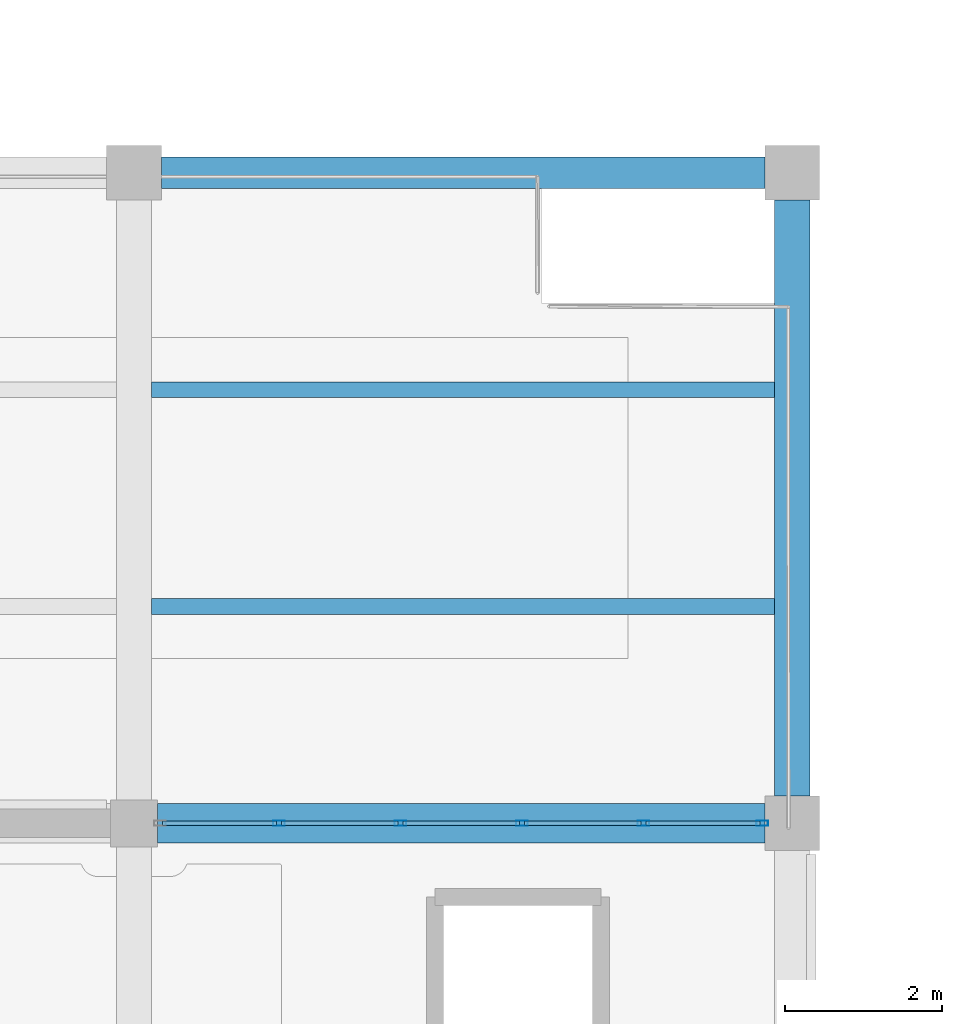
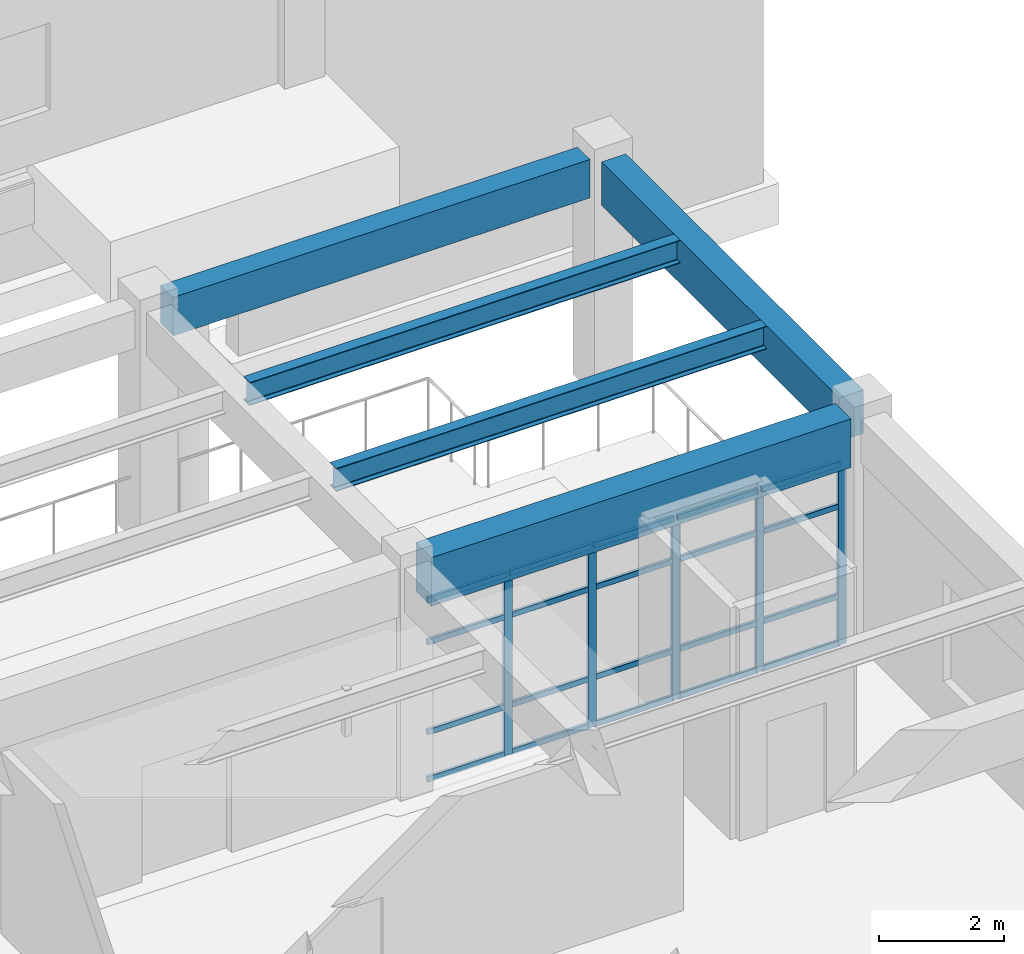
# One storey, part 33 of 98: 25 members, 5 beams, 1 element without a shape of its own.
"""IFC4 building model written with IfcOpenShell, lengths in metres."""

from ifc_helpers import new_model, si_unit, direction, frame, origin, origin_2d, place, context, subcontext, project, spatial, rectangle, hollow_rectangle, i_section, extrude, material, material_profile, profile_set, type_object, element, aggregate, save


model = new_model("IFC4")

# Units and contexts
model_context = context("Model", 3, precision=1e-05, world=origin(), true_north=direction((0.0, 1.0)))
body_context = subcontext(model_context, "Body", "Model", "MODEL_VIEW")
ifc_project = project(units=[si_unit("LENGTHUNIT", "METRE"), si_unit("AREAUNIT", "SQUARE_METRE"), si_unit("VOLUMEUNIT", "CUBIC_METRE"), si_unit("PLANEANGLEUNIT", "RADIAN"), si_unit("MASSUNIT", "GRAM", prefix="KILO")], contexts=[model_context])

# Site, building, storey
site_placement = place(None, origin())
site = spatial("IfcSite", under=ifc_project, at=site_placement, CompositionType="ELEMENT")
building_placement = place(site_placement, origin())
building = spatial("IfcBuilding", under=site, at=building_placement, Name="Canglan Escarpment Cableway Terminal", CompositionType="ELEMENT")
storey_placement = place(building_placement, frame((0.0, 0.0, 9.60009765625)))
storey = spatial("IfcBuildingStorey", under=building, at=storey_placement, Name="L02", CompositionType="ELEMENT", Elevation=9.60009765625)

# Beams
ifc_material_1 = material(Name="Concrete C40", Category="concrete")
ifc_material_profile_1 = material_profile(ifc_material_1, rectangle(XDim=0.449951171875, YDim=0.85009765625, at=origin_2d()), Name="RC 450x850")
ifc_profile_set_1 = profile_set([ifc_material_profile_1], Name="Concrete C40")
beam_type_1 = type_object("IfcBeamType", Name="BM-RC450x850", PredefinedType="BEAM", material=ifc_profile_set_1)
beam_1_placement = place(storey_placement, frame((136.699951171875, 25.14990234375, 4.094970703125), z_axis=(0.0, 1.0, 0.0), x_axis=(-1.0, 0.0, 0.0)))
element("IfcBeam", 1, at=beam_1_placement, inside=storey, type_object=beam_type_1, Name="Primary transverse girder B-02", PredefinedType="BEAM", context=body_context, shape_type="SweptSolid", body=[
    extrude(rectangle(XDim=0.449951171875, YDim=0.85009765625, at=origin_2d()), origin(), (0.0, 0.0, 1.0), 7.60009765625),
])
ifc_material_2 = material(Name="Concrete C50", Category="concrete")
ifc_material_profile_2 = material_profile(ifc_material_2, rectangle(XDim=0.5, YDim=0.949951171875, at=origin_2d()), Name="RC 500x950")
ifc_profile_set_2 = profile_set([ifc_material_profile_2], Name="Concrete C50")
beam_type_2 = type_object("IfcBeamType", Name="BM-RC500x950", PredefinedType="BEAM", material=ifc_profile_set_2)
beam_2_placement = place(storey_placement, frame((128.60009765625, 24.800048828125, 4.044921875), z_axis=(1.0, 0.0, 0.0), x_axis=(0.0, 1.0, 0.0)))
element("IfcBeam", 2, at=beam_2_placement, inside=storey, type_object=beam_type_2, Name="Primary structural girder B-01", PredefinedType="BEAM", context=body_context, shape_type="SweptSolid", body=[
    extrude(rectangle(XDim=0.5, YDim=0.949951171875, at=origin_2d()), origin(), (0.0, 0.0, 1.0), 7.75),
])

# Curtain wall, members
ifc_material_3 = material(Name="Anodized bronze aluminium and Low-E double glazing", Category="aluminium")
curtain_wall_type = type_object("IfcCurtainWallType", Name="CW-BAY-7750x3550", PredefinedType="NOTDEFINED", material=ifc_material_3)
curtain_wall_placement = place(storey_placement, origin())
curtain_wall = element("IfcCurtainWall", 3, at=curtain_wall_placement, inside=storey, type_object=curtain_wall_type, Name="Classical bay-between-piers glazed curtain wall CW-16", PredefinedType="NOTDEFINED")
ifc_material_4 = material(Name="Thermally broken anodized aluminium 6063-T6", Category="aluminium")
ifc_material_profile_3 = material_profile(ifc_material_4, hollow_rectangle(XDim=0.06494140625, YDim=0.14990234375, WallThickness=0.00341796875, InnerFilletRadius=0.00341796875, OuterFilletRadius=0.007080078125, at=origin_2d()), Name="ALU-MULL 65x150x3.5")
ifc_profile_set_3 = profile_set([ifc_material_profile_3], Name="Thermally broken anodized aluminium 6063-T6")
member_type_1 = type_object("IfcMemberType", Name="CWM-02", PredefinedType="MULLION", material=ifc_profile_set_3)
member_1_placement = place(storey_placement, frame((136.3173828125, 24.800048828125, 0.0), z_axis=(0.0, 0.0, 1.0), x_axis=(0.0, -1.0, 0.0)))
member_1 = element("IfcMember", 4, at=member_1_placement, type_object=member_type_1, Name="CW-16 mullion 1", PredefinedType="MULLION", context=body_context, shape_type="SweptSolid", body=[
    extrude(hollow_rectangle(XDim=0.06494140625, YDim=0.14990234375, WallThickness=0.00341796875, InnerFilletRadius=0.00341796875, OuterFilletRadius=0.007080078125, at=origin_2d()), origin(), (0.0, 0.0, 1.0), 3.554931640625),
])
member_2_placement = place(storey_placement, frame((134.800048828125, 24.800048828125, 0.0), z_axis=(0.0, 0.0, 1.0), x_axis=(0.0, -1.0, 0.0)))
member_2 = element("IfcMember", 5, at=member_2_placement, type_object=member_type_1, Name="CW-16 mullion 2", PredefinedType="MULLION", context=body_context, shape_type="SweptSolid", body=[
    extrude(hollow_rectangle(XDim=0.06494140625, YDim=0.14990234375, WallThickness=0.00341796875, InnerFilletRadius=0.00341796875, OuterFilletRadius=0.007080078125, at=origin_2d()), origin(), (0.0, 0.0, 1.0), 3.554931640625),
])
member_3_placement = place(storey_placement, frame((133.25, 24.800048828125, 0.0), z_axis=(0.0, 0.0, 1.0), x_axis=(0.0, -1.0, 0.0)))
member_3 = element("IfcMember", 6, at=member_3_placement, type_object=member_type_1, Name="CW-16 mullion 3", PredefinedType="MULLION", context=body_context, shape_type="SweptSolid", body=[
    extrude(hollow_rectangle(XDim=0.06494140625, YDim=0.14990234375, WallThickness=0.00341796875, InnerFilletRadius=0.00341796875, OuterFilletRadius=0.007080078125, at=origin_2d()), origin(), (0.0, 0.0, 1.0), 3.554931640625),
])
member_4_placement = place(storey_placement, frame((131.699951171875, 24.800048828125, 0.0), z_axis=(0.0, 0.0, 1.0), x_axis=(0.0, -1.0, 0.0)))
member_4 = element("IfcMember", 7, at=member_4_placement, type_object=member_type_1, Name="CW-16 mullion 4", PredefinedType="MULLION", context=body_context, shape_type="SweptSolid", body=[
    extrude(hollow_rectangle(XDim=0.06494140625, YDim=0.14990234375, WallThickness=0.00341796875, InnerFilletRadius=0.00341796875, OuterFilletRadius=0.007080078125, at=origin_2d()), origin(), (0.0, 0.0, 1.0), 3.554931640625),
])
member_5_placement = place(storey_placement, frame((130.14990234375, 24.800048828125, 0.0), z_axis=(0.0, 0.0, 1.0), x_axis=(0.0, -1.0, 0.0)))
member_5 = element("IfcMember", 8, at=member_5_placement, type_object=member_type_1, Name="CW-16 mullion 5", PredefinedType="MULLION", context=body_context, shape_type="SweptSolid", body=[
    extrude(hollow_rectangle(XDim=0.06494140625, YDim=0.14990234375, WallThickness=0.00341796875, InnerFilletRadius=0.00341796875, OuterFilletRadius=0.007080078125, at=origin_2d()), origin(), (0.0, 0.0, 1.0), 3.554931640625),
])
ifc_material_profile_4 = material_profile(ifc_material_4, hollow_rectangle(XDim=0.06005859375, YDim=0.110107421875, WallThickness=0.0029296875, InnerFilletRadius=0.0029296875, OuterFilletRadius=0.006103515625, at=origin_2d()), Name="ALU-TRAN 60x110x3")
ifc_profile_set_4 = profile_set([ifc_material_profile_4], Name="Thermally broken anodized aluminium 6063-T6")
member_type_2 = type_object("IfcMemberType", Name="CWT-02", PredefinedType="USERDEFINED", material=ifc_profile_set_4)
member_6_placement = place(storey_placement, frame((136.284912109375, 24.800048828125, 0.02978515625), z_axis=(-1.0, 0.0, 0.0), x_axis=(0.0, -1.0, 0.0)))
member_6 = element("IfcMember", 9, at=member_6_placement, type_object=member_type_2, Name="CW-16 transom 1.1", ObjectType="TRANSOM", PredefinedType="USERDEFINED", context=body_context, shape_type="SweptSolid", body=[
    extrude(hollow_rectangle(XDim=0.06005859375, YDim=0.110107421875, WallThickness=0.0029296875, InnerFilletRadius=0.0029296875, OuterFilletRadius=0.006103515625, at=origin_2d()), origin(), (0.0, 0.0, 1.0), 1.452392578125),
])
member_7_placement = place(storey_placement, frame((136.284912109375, 24.800048828125, 0.949951171875), z_axis=(-1.0, 0.0, 0.0), x_axis=(0.0, -1.0, 0.0)))
member_7 = element("IfcMember", 10, at=member_7_placement, type_object=member_type_2, Name="CW-16 transom 1.2", ObjectType="TRANSOM", PredefinedType="USERDEFINED", context=body_context, shape_type="SweptSolid", body=[
    extrude(hollow_rectangle(XDim=0.06005859375, YDim=0.110107421875, WallThickness=0.0029296875, InnerFilletRadius=0.0029296875, OuterFilletRadius=0.006103515625, at=origin_2d()), origin(), (0.0, 0.0, 1.0), 1.452392578125),
])
member_8_placement = place(storey_placement, frame((136.284912109375, 24.800048828125, 2.704833984375), z_axis=(-1.0, 0.0, 0.0), x_axis=(0.0, -1.0, 0.0)))
member_8 = element("IfcMember", 11, at=member_8_placement, type_object=member_type_2, Name="CW-16 transom 1.3", ObjectType="TRANSOM", PredefinedType="USERDEFINED", context=body_context, shape_type="SweptSolid", body=[
    extrude(hollow_rectangle(XDim=0.06005859375, YDim=0.110107421875, WallThickness=0.0029296875, InnerFilletRadius=0.0029296875, OuterFilletRadius=0.006103515625, at=origin_2d()), origin(), (0.0, 0.0, 1.0), 1.452392578125),
])
member_9_placement = place(storey_placement, frame((136.284912109375, 24.800048828125, 3.52490234375), z_axis=(-1.0, 0.0, 0.0), x_axis=(0.0, -1.0, 0.0)))
member_9 = element("IfcMember", 12, at=member_9_placement, type_object=member_type_2, Name="CW-16 transom 1.4", ObjectType="TRANSOM", PredefinedType="USERDEFINED", context=body_context, shape_type="SweptSolid", body=[
    extrude(hollow_rectangle(XDim=0.06005859375, YDim=0.110107421875, WallThickness=0.0029296875, InnerFilletRadius=0.0029296875, OuterFilletRadius=0.006103515625, at=origin_2d()), origin(), (0.0, 0.0, 1.0), 1.452392578125),
])
member_10_placement = place(storey_placement, frame((134.767578125, 24.800048828125, 0.02978515625), z_axis=(-1.0, 0.0, 0.0), x_axis=(0.0, -1.0, 0.0)))
member_10 = element("IfcMember", 13, at=member_10_placement, type_object=member_type_2, Name="CW-16 transom 2.1", ObjectType="TRANSOM", PredefinedType="USERDEFINED", context=body_context, shape_type="SweptSolid", body=[
    extrude(hollow_rectangle(XDim=0.06005859375, YDim=0.110107421875, WallThickness=0.0029296875, InnerFilletRadius=0.0029296875, OuterFilletRadius=0.006103515625, at=origin_2d()), origin(), (0.0, 0.0, 1.0), 1.485107421875),
])
member_11_placement = place(storey_placement, frame((134.767578125, 24.800048828125, 0.949951171875), z_axis=(-1.0, 0.0, 0.0), x_axis=(0.0, -1.0, 0.0)))
member_11 = element("IfcMember", 14, at=member_11_placement, type_object=member_type_2, Name="CW-16 transom 2.2", ObjectType="TRANSOM", PredefinedType="USERDEFINED", context=body_context, shape_type="SweptSolid", body=[
    extrude(hollow_rectangle(XDim=0.06005859375, YDim=0.110107421875, WallThickness=0.0029296875, InnerFilletRadius=0.0029296875, OuterFilletRadius=0.006103515625, at=origin_2d()), origin(), (0.0, 0.0, 1.0), 1.485107421875),
])
member_12_placement = place(storey_placement, frame((134.767578125, 24.800048828125, 2.704833984375), z_axis=(-1.0, 0.0, 0.0), x_axis=(0.0, -1.0, 0.0)))
member_12 = element("IfcMember", 15, at=member_12_placement, type_object=member_type_2, Name="CW-16 transom 2.3", ObjectType="TRANSOM", PredefinedType="USERDEFINED", context=body_context, shape_type="SweptSolid", body=[
    extrude(hollow_rectangle(XDim=0.06005859375, YDim=0.110107421875, WallThickness=0.0029296875, InnerFilletRadius=0.0029296875, OuterFilletRadius=0.006103515625, at=origin_2d()), origin(), (0.0, 0.0, 1.0), 1.485107421875),
])
member_13_placement = place(storey_placement, frame((134.767578125, 24.800048828125, 3.52490234375), z_axis=(-1.0, 0.0, 0.0), x_axis=(0.0, -1.0, 0.0)))
member_13 = element("IfcMember", 16, at=member_13_placement, type_object=member_type_2, Name="CW-16 transom 2.4", ObjectType="TRANSOM", PredefinedType="USERDEFINED", context=body_context, shape_type="SweptSolid", body=[
    extrude(hollow_rectangle(XDim=0.06005859375, YDim=0.110107421875, WallThickness=0.0029296875, InnerFilletRadius=0.0029296875, OuterFilletRadius=0.006103515625, at=origin_2d()), origin(), (0.0, 0.0, 1.0), 1.485107421875),
])
member_14_placement = place(storey_placement, frame((133.217529296875, 24.800048828125, 0.02978515625), z_axis=(-1.0, 0.0, 0.0), x_axis=(0.0, -1.0, 0.0)))
member_14 = element("IfcMember", 17, at=member_14_placement, type_object=member_type_2, Name="CW-16 transom 3.1", ObjectType="TRANSOM", PredefinedType="USERDEFINED", context=body_context, shape_type="SweptSolid", body=[
    extrude(hollow_rectangle(XDim=0.06005859375, YDim=0.110107421875, WallThickness=0.0029296875, InnerFilletRadius=0.0029296875, OuterFilletRadius=0.006103515625, at=origin_2d()), origin(), (0.0, 0.0, 1.0), 1.485107421875),
])
member_15_placement = place(storey_placement, frame((133.217529296875, 24.800048828125, 0.949951171875), z_axis=(-1.0, 0.0, 0.0), x_axis=(0.0, -1.0, 0.0)))
member_15 = element("IfcMember", 18, at=member_15_placement, type_object=member_type_2, Name="CW-16 transom 3.2", ObjectType="TRANSOM", PredefinedType="USERDEFINED", context=body_context, shape_type="SweptSolid", body=[
    extrude(hollow_rectangle(XDim=0.06005859375, YDim=0.110107421875, WallThickness=0.0029296875, InnerFilletRadius=0.0029296875, OuterFilletRadius=0.006103515625, at=origin_2d()), origin(), (0.0, 0.0, 1.0), 1.485107421875),
])
member_16_placement = place(storey_placement, frame((133.217529296875, 24.800048828125, 2.704833984375), z_axis=(-1.0, 0.0, 0.0), x_axis=(0.0, -1.0, 0.0)))
member_16 = element("IfcMember", 19, at=member_16_placement, type_object=member_type_2, Name="CW-16 transom 3.3", ObjectType="TRANSOM", PredefinedType="USERDEFINED", context=body_context, shape_type="SweptSolid", body=[
    extrude(hollow_rectangle(XDim=0.06005859375, YDim=0.110107421875, WallThickness=0.0029296875, InnerFilletRadius=0.0029296875, OuterFilletRadius=0.006103515625, at=origin_2d()), origin(), (0.0, 0.0, 1.0), 1.485107421875),
])
member_17_placement = place(storey_placement, frame((133.217529296875, 24.800048828125, 3.52490234375), z_axis=(-1.0, 0.0, 0.0), x_axis=(0.0, -1.0, 0.0)))
member_17 = element("IfcMember", 20, at=member_17_placement, type_object=member_type_2, Name="CW-16 transom 3.4", ObjectType="TRANSOM", PredefinedType="USERDEFINED", context=body_context, shape_type="SweptSolid", body=[
    extrude(hollow_rectangle(XDim=0.06005859375, YDim=0.110107421875, WallThickness=0.0029296875, InnerFilletRadius=0.0029296875, OuterFilletRadius=0.006103515625, at=origin_2d()), origin(), (0.0, 0.0, 1.0), 1.485107421875),
])
member_18_placement = place(storey_placement, frame((131.66748046875, 24.800048828125, 0.02978515625), z_axis=(-1.0, 0.0, 0.0), x_axis=(0.0, -1.0, 0.0)))
member_18 = element("IfcMember", 21, at=member_18_placement, type_object=member_type_2, Name="CW-16 transom 4.1", ObjectType="TRANSOM", PredefinedType="USERDEFINED", context=body_context, shape_type="SweptSolid", body=[
    extrude(hollow_rectangle(XDim=0.06005859375, YDim=0.110107421875, WallThickness=0.0029296875, InnerFilletRadius=0.0029296875, OuterFilletRadius=0.006103515625, at=origin_2d()), origin(), (0.0, 0.0, 1.0), 1.48486328125),
])
member_19_placement = place(storey_placement, frame((131.66748046875, 24.800048828125, 0.949951171875), z_axis=(-1.0, 0.0, 0.0), x_axis=(0.0, -1.0, 0.0)))
member_19 = element("IfcMember", 22, at=member_19_placement, type_object=member_type_2, Name="CW-16 transom 4.2", ObjectType="TRANSOM", PredefinedType="USERDEFINED", context=body_context, shape_type="SweptSolid", body=[
    extrude(hollow_rectangle(XDim=0.06005859375, YDim=0.110107421875, WallThickness=0.0029296875, InnerFilletRadius=0.0029296875, OuterFilletRadius=0.006103515625, at=origin_2d()), origin(), (0.0, 0.0, 1.0), 1.48486328125),
])
member_20_placement = place(storey_placement, frame((131.66748046875, 24.800048828125, 2.704833984375), z_axis=(-1.0, 0.0, 0.0), x_axis=(0.0, -1.0, 0.0)))
member_20 = element("IfcMember", 23, at=member_20_placement, type_object=member_type_2, Name="CW-16 transom 4.3", ObjectType="TRANSOM", PredefinedType="USERDEFINED", context=body_context, shape_type="SweptSolid", body=[
    extrude(hollow_rectangle(XDim=0.06005859375, YDim=0.110107421875, WallThickness=0.0029296875, InnerFilletRadius=0.0029296875, OuterFilletRadius=0.006103515625, at=origin_2d()), origin(), (0.0, 0.0, 1.0), 1.48486328125),
])
member_21_placement = place(storey_placement, frame((131.66748046875, 24.800048828125, 3.52490234375), z_axis=(-1.0, 0.0, 0.0), x_axis=(0.0, -1.0, 0.0)))
member_21 = element("IfcMember", 24, at=member_21_placement, type_object=member_type_2, Name="CW-16 transom 4.4", ObjectType="TRANSOM", PredefinedType="USERDEFINED", context=body_context, shape_type="SweptSolid", body=[
    extrude(hollow_rectangle(XDim=0.06005859375, YDim=0.110107421875, WallThickness=0.0029296875, InnerFilletRadius=0.0029296875, OuterFilletRadius=0.006103515625, at=origin_2d()), origin(), (0.0, 0.0, 1.0), 1.48486328125),
])
member_22_placement = place(storey_placement, frame((130.117431640625, 24.800048828125, 0.02978515625), z_axis=(-1.0, 0.0, 0.0), x_axis=(0.0, -1.0, 0.0)))
member_22 = element("IfcMember", 25, at=member_22_placement, type_object=member_type_2, Name="CW-16 transom 5.1", ObjectType="TRANSOM", PredefinedType="USERDEFINED", context=body_context, shape_type="SweptSolid", body=[
    extrude(hollow_rectangle(XDim=0.06005859375, YDim=0.110107421875, WallThickness=0.0029296875, InnerFilletRadius=0.0029296875, OuterFilletRadius=0.006103515625, at=origin_2d()), origin(), (0.0, 0.0, 1.0), 1.452392578125),
])
member_23_placement = place(storey_placement, frame((130.117431640625, 24.800048828125, 0.949951171875), z_axis=(-1.0, 0.0, 0.0), x_axis=(0.0, -1.0, 0.0)))
member_23 = element("IfcMember", 26, at=member_23_placement, type_object=member_type_2, Name="CW-16 transom 5.2", ObjectType="TRANSOM", PredefinedType="USERDEFINED", context=body_context, shape_type="SweptSolid", body=[
    extrude(hollow_rectangle(XDim=0.06005859375, YDim=0.110107421875, WallThickness=0.0029296875, InnerFilletRadius=0.0029296875, OuterFilletRadius=0.006103515625, at=origin_2d()), origin(), (0.0, 0.0, 1.0), 1.452392578125),
])
member_24_placement = place(storey_placement, frame((130.117431640625, 24.800048828125, 2.704833984375), z_axis=(-1.0, 0.0, 0.0), x_axis=(0.0, -1.0, 0.0)))
member_24 = element("IfcMember", 27, at=member_24_placement, type_object=member_type_2, Name="CW-16 transom 5.3", ObjectType="TRANSOM", PredefinedType="USERDEFINED", context=body_context, shape_type="SweptSolid", body=[
    extrude(hollow_rectangle(XDim=0.06005859375, YDim=0.110107421875, WallThickness=0.0029296875, InnerFilletRadius=0.0029296875, OuterFilletRadius=0.006103515625, at=origin_2d()), origin(), (0.0, 0.0, 1.0), 1.452392578125),
])
member_25_placement = place(storey_placement, frame((130.117431640625, 24.800048828125, 3.52490234375), z_axis=(-1.0, 0.0, 0.0), x_axis=(0.0, -1.0, 0.0)))
member_25 = element("IfcMember", 28, at=member_25_placement, type_object=member_type_2, Name="CW-16 transom 5.4", ObjectType="TRANSOM", PredefinedType="USERDEFINED", context=body_context, shape_type="SweptSolid", body=[
    extrude(hollow_rectangle(XDim=0.06005859375, YDim=0.110107421875, WallThickness=0.0029296875, InnerFilletRadius=0.0029296875, OuterFilletRadius=0.006103515625, at=origin_2d()), origin(), (0.0, 0.0, 1.0), 1.452392578125),
])
aggregate(curtain_wall, [member_1, member_2, member_3, member_4, member_5, member_6, member_7, member_8, member_9, member_10, member_11, member_12, member_13, member_14, member_15, member_16, member_17, member_18, member_19, member_20, member_21, member_22, member_23, member_24, member_25])

# Beams
ifc_material_5 = material(Name="Steel Q355B", Category="steel")
ifc_material_profile_5 = material_profile(ifc_material_5, i_section(OverallWidth=0.199951171875, OverallDepth=0.449951171875, WebThickness=0.009033203125, FlangeThickness=0.013916015625, FilletRadius=0.01806640625, at=origin_2d()), Name="HN 450x200x9x14")
ifc_profile_set_5 = profile_set([ifc_material_profile_5], Name="Steel Q355B")
beam_type_3 = type_object("IfcBeamType", Name="JS-HN450", PredefinedType="JOIST", material=ifc_profile_set_5)
for number, where, z_axis, x_axis, name in (
    (29, (128.52490234375, 27.566650390625, 4.294921875), (1.0, 0.0, 0.0), (0.0, 1.0, 0.0), "Secondary composite deck joist J-02"),
    (30, (128.52490234375, 30.333251953125, 4.294921875), (1.0, 0.0, 0.0), (0.0, 1.0, 0.0), "Secondary composite deck joist J-02"),
):
    element("IfcBeam", number, at=place(storey_placement, frame(where, z_axis=z_axis, x_axis=x_axis)), inside=storey, type_object=beam_type_3, Name=name, PredefinedType="JOIST", context=body_context, shape_type="SweptSolid", body=[
        extrude(i_section(OverallWidth=0.199951171875, OverallDepth=0.449951171875, WebThickness=0.009033203125, FlangeThickness=0.013916015625, FilletRadius=0.01806640625, at=origin_2d()), origin(), (0.0, 0.0, 1.0), 7.9501953125),
    ])
ifc_material_profile_6 = material_profile(ifc_material_1, rectangle(XDim=0.39990234375, YDim=0.75, at=origin_2d()), Name="RC 400x750")
ifc_profile_set_6 = profile_set([ifc_material_profile_6], Name="Concrete C40")
beam_type_4 = type_object("IfcBeamType", Name="SP-RC400x750", PredefinedType="SPANDREL", material=ifc_profile_set_6)
beam_3_placement = place(storey_placement, frame((128.64990234375, 33.10009765625, 4.14501953125), z_axis=(1.0, 0.0, 0.0), x_axis=(0.0, 1.0, 0.0)))
element("IfcBeam", 31, at=beam_3_placement, inside=storey, type_object=beam_type_4, Name="Primary structural girder SP-01", PredefinedType="SPANDREL", context=body_context, shape_type="SweptSolid", body=[
    extrude(rectangle(XDim=0.39990234375, YDim=0.75, at=origin_2d()), origin(), (0.0, 0.0, 1.0), 7.7001953125),
])

save(model, "model.ifc")
